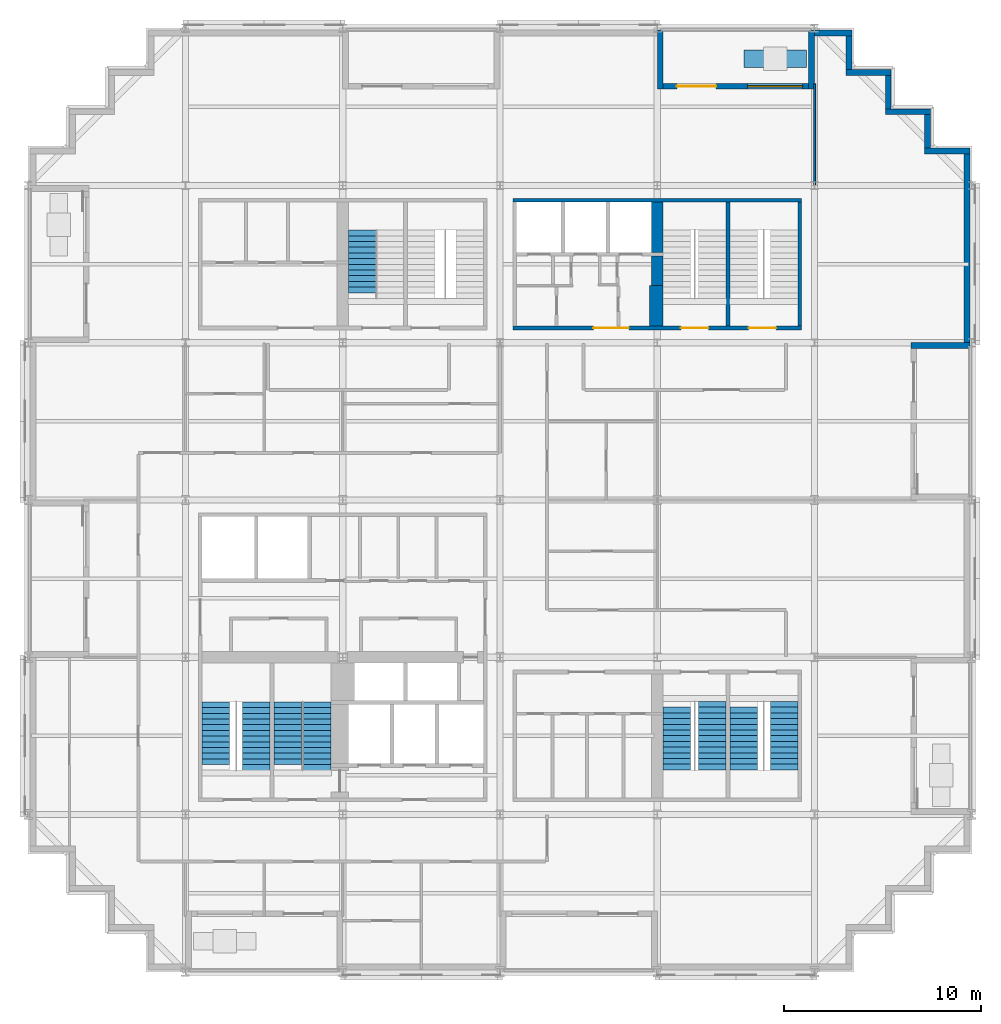
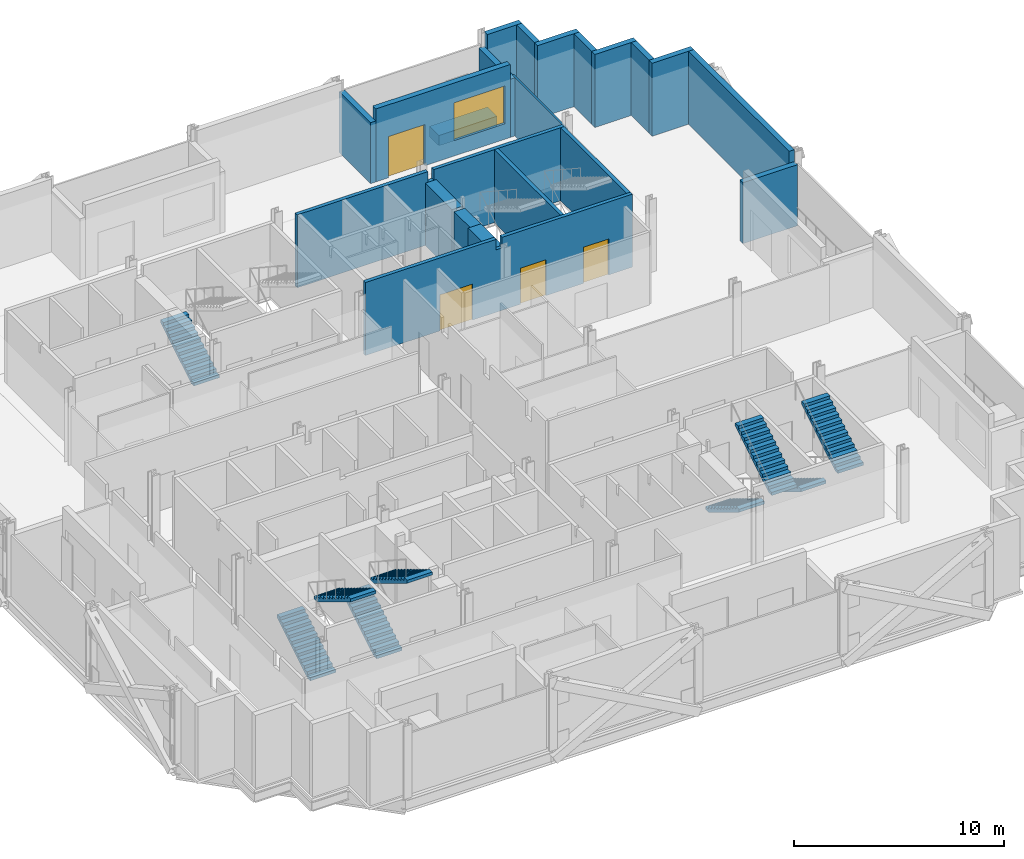
# One storey, part 10 of 14: 21 walls, 9 stair flights, 4 doors, 1 window, 5 openings, 5 elements without a shape of their own.
"""IFC4 building model written with IfcOpenShell, lengths in metres."""

from ifc_helpers import new_model, si_unit, direction, frame, frame_2d, origin, place, context, subcontext, project, spatial, polyline, rectangle, outline, extrude, material, layer, layer_set, type_object, element, fill, aggregate, save


model = new_model("IFC4")

# Units and contexts
model_context = context("Model", 3, precision=1e-05, world=origin(), true_north=direction((0.0, 1.0)))
body_context = subcontext(model_context, "Body", "Model", "MODEL_VIEW")
ifc_project = project(units=[si_unit("LENGTHUNIT", "METRE"), si_unit("AREAUNIT", "SQUARE_METRE"), si_unit("VOLUMEUNIT", "CUBIC_METRE"), si_unit("PLANEANGLEUNIT", "RADIAN"), si_unit("MASSUNIT", "GRAM", prefix="KILO")], contexts=[model_context])

# Site, building, storey
site_placement = place(None, origin())
site = spatial("IfcSite", under=ifc_project, at=site_placement, CompositionType="ELEMENT")
building_placement = place(site_placement, origin())
building = spatial("IfcBuilding", under=site, at=building_placement, Name="Immortelle Media Tower", CompositionType="ELEMENT")
storey_placement = place(building_placement, frame((0.0, 0.0, 43.60009765625)))
storey = spatial("IfcBuildingStorey", under=building, at=storey_placement, Name="L06", CompositionType="ELEMENT", Elevation=43.60009765625)

# Walls
ifc_material_1 = material(Name="Pale aluminium cladding panel", Category="aluminium")
ifc_layer_1 = layer(ifc_material_1, 0.030029296875)
ifc_material_2 = material(Name="Steel ASTM A653 SS Gr 50 stud frame with mineral wool", Category="steel")
ifc_layer_2 = layer(ifc_material_2, 0.257568359375)
ifc_material_3 = material(Name="Moisture-resistant gypsum board", Category="gypsum")
ifc_layer_3 = layer(ifc_material_3, 0.012451171875)
ifc_layer_set_1 = layer_set([ifc_layer_1, ifc_layer_2, ifc_layer_3], Name="Steel ASTM A653 SS Gr 50 stud frame with mineral wool")
wall_type_1 = type_object("IfcWallType", Name="Facade wall 300", PredefinedType="SOLIDWALL", material=ifc_layer_set_1)
wall_1_placement = place(storey_placement, frame((47.89990234375, 31.85009765625, 0.0), z_axis=(0.0, 0.0, 1.0), x_axis=(-1.0, 0.0, 0.0)))
element("IfcWall", 1, at=wall_1_placement, inside=storey, type_object=wall_type_1, Name="Loggia cheek wall L06 E", PredefinedType="SOLIDWALL", context=body_context, shape_type="SweptSolid", body=[
    extrude(rectangle(XDim=3.0, YDim=0.300048828125, at=frame_2d((1.5, 0.0))), origin(), (0.0, 0.0, 1.0), 3.552978515625),
])
wall_2_placement = place(storey_placement, frame((47.75, 32.0, 0.0), z_axis=(0.0, 0.0, 1.0), x_axis=(0.0, 1.0, 0.0)))
element("IfcWall", 2, at=wall_2_placement, inside=storey, type_object=wall_type_1, Name="Facade wall L06 E14", PredefinedType="SOLIDWALL", context=body_context, shape_type="SweptSolid", body=[
    extrude(rectangle(XDim=9.60009765625, YDim=0.300048828125, at=frame_2d((4.800048828125, 0.0))), origin(), (0.0, 0.0, 1.0), 4.25),
])
wall_3_placement = place(storey_placement, frame((47.89990234375, 41.75, 0.0), z_axis=(0.0, 0.0, 1.0), x_axis=(-1.0, 0.0, 0.0)))
element("IfcWall", 3, at=wall_3_placement, inside=storey, type_object=wall_type_1, Name="Facade wall L06 N15", PredefinedType="SOLIDWALL", context=body_context, shape_type="SweptSolid", body=[
    extrude(rectangle(XDim=2.2998046875, YDim=0.300048828125, at=frame_2d((1.14990234375, 0.0))), origin(), (0.0, 0.0, 1.0), 4.25),
])
wall_4_placement = place(storey_placement, frame((45.75, 41.89990234375, 0.0), z_axis=(0.0, 0.0, 1.0), x_axis=(0.0, 1.0, 0.0)))
element("IfcWall", 4, at=wall_4_placement, inside=storey, type_object=wall_type_1, Name="Facade wall L06 E16", PredefinedType="SOLIDWALL", context=body_context, shape_type="SweptSolid", body=[
    extrude(rectangle(XDim=1.7001953125, YDim=0.300048828125, at=frame_2d((0.85009765625, 0.0))), origin(), (0.0, 0.0, 1.0), 4.25),
])
wall_5_placement = place(storey_placement, frame((45.89990234375, 43.75, 0.0), z_axis=(0.0, 0.0, 1.0), x_axis=(-1.0, 0.0, 0.0)))
element("IfcWall", 5, at=wall_5_placement, inside=storey, type_object=wall_type_1, Name="Facade wall L06 N17", PredefinedType="SOLIDWALL", context=body_context, shape_type="SweptSolid", body=[
    extrude(rectangle(XDim=2.2998046875, YDim=0.300048828125, at=frame_2d((1.14990234375, 0.0))), origin(), (0.0, 0.0, 1.0), 4.25),
])
wall_6_placement = place(storey_placement, frame((43.75, 43.89990234375, 0.0), z_axis=(0.0, 0.0, 1.0), x_axis=(0.0, 1.0, 0.0)))
element("IfcWall", 6, at=wall_6_placement, inside=storey, type_object=wall_type_1, Name="Facade wall L06 E18", PredefinedType="SOLIDWALL", context=body_context, shape_type="SweptSolid", body=[
    extrude(rectangle(XDim=1.7001953125, YDim=0.300048828125, at=frame_2d((0.85009765625, 0.0))), origin(), (0.0, 0.0, 1.0), 4.25),
])
wall_7_placement = place(storey_placement, frame((43.89990234375, 45.75, 0.0), z_axis=(0.0, 0.0, 1.0), x_axis=(-1.0, 0.0, 0.0)))
element("IfcWall", 7, at=wall_7_placement, inside=storey, type_object=wall_type_1, Name="Facade wall L06 N19", PredefinedType="SOLIDWALL", context=body_context, shape_type="SweptSolid", body=[
    extrude(rectangle(XDim=2.2998046875, YDim=0.300048828125, at=frame_2d((1.14990234375, 0.0))), origin(), (0.0, 0.0, 1.0), 4.25),
])
wall_8_placement = place(storey_placement, frame((41.75, 45.89990234375, 0.0), z_axis=(0.0, 0.0, 1.0), x_axis=(0.0, 1.0, 0.0)))
element("IfcWall", 8, at=wall_8_placement, inside=storey, type_object=wall_type_1, Name="Facade wall L06 E20", PredefinedType="SOLIDWALL", context=body_context, shape_type="SweptSolid", body=[
    extrude(rectangle(XDim=1.7001953125, YDim=0.300048828125, at=frame_2d((0.85009765625, 0.0))), origin(), (0.0, 0.0, 1.0), 4.25),
])
wall_9_placement = place(storey_placement, frame((41.89990234375, 47.75, 0.0), z_axis=(0.0, 0.0, 1.0), x_axis=(-1.0, 0.0, 0.0)))
element("IfcWall", 9, at=wall_9_placement, inside=storey, type_object=wall_type_1, Name="Facade wall L06 N21", PredefinedType="SOLIDWALL", context=body_context, shape_type="SweptSolid", body=[
    extrude(rectangle(XDim=1.89990234375, YDim=0.300048828125, at=frame_2d((0.949951171875, 0.0))), origin(), (0.0, 0.0, 1.0), 4.25),
])

# Wall, openings, door, window
wall_10_placement = place(storey_placement, frame((39.699951171875, 45.050048828125, 0.0), z_axis=(0.0, 0.0, 1.0), x_axis=(-1.0, 0.0, 0.0)))
wall_10 = element("IfcWall", 10, at=wall_10_placement, inside=storey, type_object=wall_type_1, Name="Loggia wall L06 N21", PredefinedType="SOLIDWALL", context=body_context, shape_type="SweptSolid", body=[
    extrude(rectangle(XDim=7.39990234375, YDim=0.300048828125, at=frame_2d((3.699951171875, 0.0))), origin(), (0.0, 0.0, 1.0), 4.25),
])
opening_1_placement = place(wall_10_placement, frame((0.300048828125, 0.0, 0.89990234375)))
opening_1 = element("IfcOpeningElement", 11, at=opening_1_placement, cuts=wall_10, Name="Opening W1", PredefinedType="OPENING", context=body_context, shape_type="SweptSolid", body=[
    extrude(rectangle(XDim=2.800048828125, YDim=2.199951171875, at=frame_2d((1.39990234375, 1.10009765625))), frame((0.0, 0.159912109375, 0.0), z_axis=(0.0, -1.0, 0.0), x_axis=(1.0, 0.0, 0.0)), (0.0, 0.0, 1.0), 0.320068359375),
])
opening_2_placement = place(wall_10_placement, frame((4.699951171875, 0.0, 0.0)))
opening_2 = element("IfcOpeningElement", 12, at=opening_2_placement, cuts=wall_10, Name="Opening N1-E007", PredefinedType="OPENING", context=body_context, shape_type="SweptSolid", body=[
    extrude(rectangle(XDim=2.0, YDim=2.39990234375, at=frame_2d((1.0, 1.199951171875))), frame((0.0, 0.159912109375, 0.0), z_axis=(0.0, -1.0, 0.0), x_axis=(1.0, 0.0, 0.0)), (0.0, 0.0, 1.0), 0.320068359375),
])
ifc_material_4 = material(Name="Aluminium frame, glazed leaves", Category="aluminium")
door_type_1 = type_object("IfcDoorType", Name="Loggia door 2000 x 2400", OperationType="DOUBLE_DOOR_SINGLE_SWING", PredefinedType="DOOR", material=ifc_material_4)
door_1_placement = place(opening_2_placement, origin())
door_1 = element("IfcDoor", 13, at=door_1_placement, inside=storey, type_object=door_type_1, Name="Door N1-E007", OperationType="DOUBLE_DOOR_SINGLE_SWING", OverallHeight=2.39990234375, OverallWidth=2.0, PredefinedType="DOOR", context=body_context, shape_type="SweptSolid", body=[
    extrude(rectangle(XDim=2.0, YDim=2.39990234375, at=frame_2d((1.0, 1.199951171875))), frame((0.0, 0.02490234375, 0.0), z_axis=(0.0, -1.0, 0.0), x_axis=(1.0, 0.0, 0.0)), (0.0, 0.0, 1.0), 0.050048828125),
])
fill(opening_2, door_1)
ifc_material_5 = material(Name="Aluminium frame", Category="aluminium")
window_type = type_object("IfcWindowType", Name="Window 2800 x 2200", PartitioningType="SINGLE_PANEL", PredefinedType="WINDOW", material=ifc_material_5)
window_placement = place(opening_1_placement, origin())
window = element("IfcWindow", 14, at=window_placement, inside=storey, type_object=window_type, Name="Window L06 L06-R21-B0", OverallHeight=2.199951171875, OverallWidth=2.800048828125, PartitioningType="SINGLE_PANEL", PredefinedType="WINDOW", context=body_context, shape_type="SweptSolid", body=[
    extrude(rectangle(XDim=2.800048828125, YDim=2.199951171875, at=frame_2d((1.39990234375, 1.10009765625))), frame((0.0, 0.030029296875, 0.0), z_axis=(0.0, -1.0, 0.0), x_axis=(1.0, 0.0, 0.0)), (0.0, 0.0, 1.0), 0.06005859375),
])
fill(opening_1, window)

# Walls
wall_11_placement = place(storey_placement, frame((39.85009765625, 47.89990234375, 0.0), z_axis=(0.0, 0.0, 1.0), x_axis=(0.0, -1.0, 0.0)))
element("IfcWall", 15, at=wall_11_placement, inside=storey, type_object=wall_type_1, Name="Loggia cheek wall L06 N", PredefinedType="SOLIDWALL", context=body_context, shape_type="SweptSolid", body=[
    extrude(rectangle(XDim=3.0, YDim=0.300048828125, at=frame_2d((1.5, 0.0))), origin(), (0.0, 0.0, 1.0), 3.389892578125),
])
wall_12_placement = place(storey_placement, frame((32.14990234375, 47.89990234375, 0.0), z_axis=(0.0, 0.0, 1.0), x_axis=(0.0, -1.0, 0.0)))
element("IfcWall", 16, at=wall_12_placement, inside=storey, type_object=wall_type_1, Name="Loggia cheek wall L06 N", PredefinedType="SOLIDWALL", context=body_context, shape_type="SweptSolid", body=[
    extrude(rectangle(XDim=3.0, YDim=0.300048828125, at=frame_2d((1.5, 0.0))), origin(), (0.0, 0.0, 1.0), 3.552978515625),
])
ifc_material_6 = material(Name="Gypsum board", Category="gypsum")
ifc_layer_4 = layer(ifc_material_6, 0.012451171875)
ifc_layer_5 = layer(ifc_material_2, 0.074951171875)
ifc_layer_6 = layer(ifc_material_6, 0.012451171875)
ifc_layer_set_2 = layer_set([ifc_layer_4, ifc_layer_5, ifc_layer_6], Name="Steel ASTM A653 SS Gr 50 stud frame with mineral wool")
wall_type_2 = type_object("IfcWallType", Name="Partition 100", PredefinedType="PARTITIONING", material=ifc_layer_set_2)
wall_13_placement = place(storey_placement, frame((40.0, 40.030029296875, 0.0), z_axis=(0.0, 0.0, 1.0), x_axis=(0.0, 1.0, 0.0)))
element("IfcWall", 17, at=wall_13_placement, inside=storey, type_object=wall_type_2, Name="Partition L06-045", PredefinedType="PARTITIONING", context=body_context, shape_type="SweptSolid", body=[
    extrude(rectangle(XDim=5.139892578125, YDim=0.10009765625, at=frame_2d((2.56982421875, 0.0))), origin(), (0.0, 0.0, 1.0), 3.390869140625),
])
ifc_layer_7 = layer(ifc_material_1, 0.0029296875)
ifc_material_7 = material(Name="Steel ASTM A572 Gr 50 planter shell", Category="steel")
ifc_layer_8 = layer(ifc_material_7, 0.011962890625)
ifc_material_8 = material(Name="Planting substrate", Category="soil")
ifc_layer_9 = layer(ifc_material_8, 0.873046875)
ifc_layer_10 = layer(ifc_material_7, 0.011962890625)
ifc_layer_set_3 = layer_set([ifc_layer_7, ifc_layer_8, ifc_layer_9, ifc_layer_10], Name="Steel ASTM A572 Gr 50 planter shell")
wall_type_3 = type_object("IfcWallType", Name="Planter wall 900", PredefinedType="SOLIDWALL", material=ifc_layer_set_3)
wall_14_placement = place(storey_placement, frame((39.60009765625, 46.449951171875, 0.0), z_axis=(0.0, 0.0, 1.0), x_axis=(-1.0, 0.0, 0.0)))
element("IfcWall", 18, at=wall_14_placement, inside=storey, type_object=wall_type_3, Name="Planter L06 N0", PredefinedType="SOLIDWALL", context=body_context, shape_type="SweptSolid", body=[
    extrude(rectangle(XDim=3.2001953125, YDim=0.89990234375, at=frame_2d((1.60009765625, 0.0))), origin(), (0.0, 0.0, 1.0), 0.599853515625),
])

# Wall, openings, doors
ifc_material_9 = material(Name="Concrete C60", Category="concrete")
ifc_layer_11 = layer(ifc_material_9, 0.199951171875)
ifc_layer_set_4 = layer_set([ifc_layer_11], Name="Concrete C60")
wall_type_4 = type_object("IfcWallType", Name="Stair shaft wall 200", PredefinedType="PARTITIONING", material=ifc_layer_set_4)
wall_15_placement = place(storey_placement, frame((24.64990234375, 32.75, 0.0), z_axis=(0.0, 0.0, 1.0), x_axis=(1.0, 0.0, 0.0)))
wall_15 = element("IfcWall", 19, at=wall_15_placement, inside=storey, type_object=wall_type_4, Name="Stair shaft wall NE", PredefinedType="PARTITIONING", context=body_context, shape_type="SweptSolid", body=[
    extrude(outline(polyline([(0.0, 0.0), (14.7001953125, 0.0), (14.699951171875, 4.25), (7.51708984375, 4.25), (7.51611328125, 3.6318359375), (7.18408203125, 3.6318359375), (7.18310546875, 4.25), (0.0, 4.25), (0.0, 0.0)])), frame((0.0, 0.10009765625, 0.0), z_axis=(0.0, -1.0, 0.0), x_axis=(1.0, 0.0, 0.0)), (0.0, 0.0, 1.0), 0.199951171875),
])
opening_3_placement = place(wall_15_placement, frame((4.10009765625, 0.0, 0.0)))
opening_3 = element("IfcOpeningElement", 20, at=opening_3_placement, cuts=wall_15, Name="Opening N1-K030", PredefinedType="OPENING", context=body_context, shape_type="SweptSolid", body=[
    extrude(rectangle(XDim=1.800048828125, YDim=2.10009765625, at=frame_2d((0.89990234375, 1.050048828125))), frame((0.0, 0.10986328125, 0.0), z_axis=(0.0, -1.0, 0.0), x_axis=(1.0, 0.0, 0.0)), (0.0, 0.0, 1.0), 0.219970703125),
])
opening_4_placement = place(wall_15_placement, frame((8.550048828125, 0.0, 0.0)))
opening_4 = element("IfcOpeningElement", 21, at=opening_4_placement, cuts=wall_15, Name="Opening N1-K033", PredefinedType="OPENING", context=body_context, shape_type="SweptSolid", body=[
    extrude(rectangle(XDim=1.39990234375, YDim=2.10009765625, at=frame_2d((0.699951171875, 1.050048828125))), frame((0.0, 0.10986328125, 0.0), z_axis=(0.0, -1.0, 0.0), x_axis=(1.0, 0.0, 0.0)), (0.0, 0.0, 1.0), 0.219970703125),
])
opening_5_placement = place(wall_15_placement, frame((12.0, 0.0, 0.0)))
opening_5 = element("IfcOpeningElement", 22, at=opening_5_placement, cuts=wall_15, Name="Opening N1-K034", PredefinedType="OPENING", context=body_context, shape_type="SweptSolid", body=[
    extrude(rectangle(XDim=1.39990234375, YDim=2.10009765625, at=frame_2d((0.699951171875, 1.050048828125))), frame((0.0, 0.10986328125, 0.0), z_axis=(0.0, -1.0, 0.0), x_axis=(1.0, 0.0, 0.0)), (0.0, 0.0, 1.0), 0.219970703125),
])
ifc_material_10 = material(Name="Galvanised steel door leaf and frame ASTM A653", Category="steel")
door_type_2 = type_object("IfcDoorType", Name="Lift lobby door 1800 x 2100", OperationType="DOUBLE_DOOR_SINGLE_SWING", PredefinedType="NOTDEFINED", material=ifc_material_10)
door_2_placement = place(opening_3_placement, origin())
door_2 = element("IfcDoor", 23, at=door_2_placement, inside=storey, type_object=door_type_2, Name="Lift lobby N1-K030", OperationType="DOUBLE_DOOR_SINGLE_SWING", OverallHeight=2.10009765625, OverallWidth=1.800048828125, PredefinedType="NOTDEFINED", context=body_context, shape_type="SweptSolid", body=[
    extrude(rectangle(XDim=1.800048828125, YDim=2.10009765625, at=frame_2d((0.89990234375, 1.050048828125))), frame((0.0, 0.02490234375, 0.0), z_axis=(0.0, -1.0, 0.0), x_axis=(1.0, 0.0, 0.0)), (0.0, 0.0, 1.0), 0.050048828125),
])
fill(opening_3, door_2)
door_type_3 = type_object("IfcDoorType", Name="Stair door 1400 x 2100", OperationType="DOUBLE_DOOR_SINGLE_SWING", PredefinedType="NOTDEFINED", material=ifc_material_10)
door_3_placement = place(opening_4_placement, origin())
door_3 = element("IfcDoor", 24, at=door_3_placement, inside=storey, type_object=door_type_3, Name="Stair N1-K033", OperationType="DOUBLE_DOOR_SINGLE_SWING", OverallHeight=2.10009765625, OverallWidth=1.39990234375, PredefinedType="NOTDEFINED", context=body_context, shape_type="SweptSolid", body=[
    extrude(rectangle(XDim=1.39990234375, YDim=2.10009765625, at=frame_2d((0.699951171875, 1.050048828125))), frame((0.0, 0.02490234375, 0.0), z_axis=(0.0, -1.0, 0.0), x_axis=(1.0, 0.0, 0.0)), (0.0, 0.0, 1.0), 0.050048828125),
])
fill(opening_4, door_3)
door_4_placement = place(opening_5_placement, origin())
door_4 = element("IfcDoor", 25, at=door_4_placement, inside=storey, type_object=door_type_3, Name="Stair N1-K034", OperationType="DOUBLE_DOOR_SINGLE_SWING", OverallHeight=2.10009765625, OverallWidth=1.39990234375, PredefinedType="NOTDEFINED", context=body_context, shape_type="SweptSolid", body=[
    extrude(rectangle(XDim=1.39990234375, YDim=2.10009765625, at=frame_2d((0.699951171875, 1.050048828125))), frame((0.0, 0.02490234375, 0.0), z_axis=(0.0, -1.0, 0.0), x_axis=(1.0, 0.0, 0.0)), (0.0, 0.0, 1.0), 0.050048828125),
])
fill(opening_5, door_4)

# Walls
wall_16_placement = place(storey_placement, frame((24.64990234375, 39.25, 0.0), z_axis=(0.0, 0.0, 1.0), x_axis=(1.0, 0.0, 0.0)))
element("IfcWall", 26, at=wall_16_placement, inside=storey, type_object=wall_type_4, Name="Stair shaft wall NE", PredefinedType="PARTITIONING", context=body_context, shape_type="SweptSolid", body=[
    extrude(outline(polyline([(0.0, 0.0), (14.7001953125, 0.0), (14.699951171875, 4.25), (7.51708984375, 4.25), (7.51611328125, 3.6318359375), (7.18408203125, 3.6318359375), (7.18310546875, 4.25), (0.0, 4.25), (0.0, 0.0)])), frame((0.0, 0.10009765625, 0.0), z_axis=(0.0, -1.0, 0.0), x_axis=(1.0, 0.0, 0.0)), (0.0, 0.0, 1.0), 0.199951171875),
])
for number, where, z_axis, x_axis, name in (
    (27, (35.60009765625, 32.85009765625, 0.0), (0.0, 0.0, 1.0), (0.0, 1.0, 0.0), "Stair shaft wall NE"),
    (28, (39.25, 32.85009765625, 0.0), (0.0, 0.0, 1.0), (0.0, 1.0, 0.0), "Stair shaft wall NE"),
):
    element("IfcWall", number, at=place(storey_placement, frame(where, z_axis=z_axis, x_axis=x_axis)), inside=storey, type_object=wall_type_4, Name=name, PredefinedType="PARTITIONING", context=body_context, shape_type="SweptSolid", body=[
        extrude(rectangle(XDim=6.2998046875, YDim=0.199951171875, at=frame_2d((3.14990234375, 0.0))), origin(), (0.0, 0.0, 1.0), 4.25),
    ])
ifc_layer_12 = layer(ifc_material_9, 0.60009765625)
ifc_layer_set_5 = layer_set([ifc_layer_12], Name="Concrete C60")
wall_type_5 = type_object("IfcWallType", Name="Stair shaft wall 600", PredefinedType="PARTITIONING", material=ifc_layer_set_5)
wall_17_placement = place(storey_placement, frame((32.0, 34.89990234375, 0.0), z_axis=(0.0, 0.0, 1.0), x_axis=(0.0, 1.0, 0.0)))
element("IfcWall", 29, at=wall_17_placement, inside=storey, type_object=wall_type_5, Name="Stair shaft wall NE", PredefinedType="PARTITIONING", context=body_context, shape_type="SweptSolid", body=[
    extrude(rectangle(XDim=1.5, YDim=0.60009765625, at=frame_2d((0.75, 0.0))), origin(), (0.0, 0.0, 1.0), 3.6318359375),
])
wall_18_placement = place(storey_placement, frame((32.0, 36.60009765625, 0.0), z_axis=(0.0, 0.0, 1.0), x_axis=(0.0, 1.0, 0.0)))
element("IfcWall", 30, at=wall_18_placement, inside=storey, type_object=wall_type_5, Name="Stair shaft wall NE", PredefinedType="PARTITIONING", context=body_context, shape_type="SweptSolid", body=[
    extrude(rectangle(XDim=2.5498046875, YDim=0.60009765625, at=frame_2d((1.27490234375, 0.0))), origin(), (0.0, 0.0, 1.0), 3.6318359375),
])
ifc_layer_13 = layer(ifc_material_9, 0.699951171875)
ifc_layer_set_6 = layer_set([ifc_layer_13], Name="Concrete C60")
wall_type_6 = type_object("IfcWallType", Name="Stair shaft wall 700", PredefinedType="PARTITIONING", material=ifc_layer_set_6)
wall_19_placement = place(storey_placement, frame((31.949951171875, 32.85009765625, 0.0), z_axis=(0.0, 0.0, 1.0), x_axis=(0.0, 1.0, 0.0)))
element("IfcWall", 31, at=wall_19_placement, inside=storey, type_object=wall_type_6, Name="Stair shaft wall NE", PredefinedType="PARTITIONING", context=body_context, shape_type="SweptSolid", body=[
    extrude(rectangle(XDim=2.0498046875, YDim=0.699951171875, at=frame_2d((1.02490234375, 0.0))), origin(), (0.0, 0.0, 1.0), 3.6318359375),
])

# Stair, stair flights
ifc_material_11 = material(Name="Steel ASTM A992 Gr 50", Category="steel")
stair_type = type_object("IfcStairType", Name="Stair with flights", PredefinedType="DOUBLE_RETURN_STAIR", material=ifc_material_11)
stair_1_placement = place(storey_placement, origin())
stair_1 = element("IfcStair", 32, at=stair_1_placement, inside=storey, type_object=stair_type, Name="Exit stair SW1", PredefinedType="DOUBLE_RETURN_STAIR")
stair_flight_type = type_object("IfcStairFlightType", Name="Stair flight 1400", PredefinedType="STRAIGHT", material=ifc_material_11)
stair_flight_1_placement = place(storey_placement, frame((9.550048828125, 10.5400390625, 0.0), z_axis=(0.0, 0.0, 1.0), x_axis=(0.0, 1.0, 0.0)))
stair_flight_1 = element("IfcStairFlight", 33, at=stair_flight_1_placement, type_object=stair_flight_type, Name="ST SW1 flight 1", NumberOfRisers=12, NumberOfTreads=11, PredefinedType="STRAIGHT", RiserHeight=0.176, TreadLength=0.29, context=body_context, shape_type="SweptSolid", body=[
    extrude(outline(polyline([(0.0, 0.0), (0.0, 0.176025390625), (0.2900390625, 0.176025390625), (0.2900390625, 0.35205078125), (0.580078125, 0.35205078125), (0.580078125, 0.528076171875), (0.8701171875, 0.528076171875), (0.8701171875, 0.7041015625), (1.159912109375, 0.7041015625), (1.159912109375, 0.8798828125), (1.449951171875, 0.8798828125), (1.449951171875, 1.055908203125), (1.739990234375, 1.055908203125), (1.739990234375, 1.23193359375), (2.030029296875, 1.23193359375), (2.030029296875, 1.407958984375), (2.320068359375, 1.407958984375), (2.320068359375, 1.583984375), (2.610107421875, 1.583984375), (2.610107421875, 1.760009765625), (2.89990234375, 1.760009765625), (2.89990234375, 1.93603515625), (3.18994140625, 1.93603515625), (3.18994140625, 2.112060546875), (3.18994140625, 1.7607421875), (0.288818359375, 0.0), (0.0, 0.0)])), frame((0.0, 0.699951171875, 0.0), z_axis=(0.0, -1.0, 0.0), x_axis=(1.0, 0.0, 0.0)), (0.0, 0.0, 1.0), 1.39990234375),
])
stair_flight_2_placement = place(storey_placement, frame((11.60009765625, 13.72998046875, 2.11181640625), z_axis=(0.0, 0.0, 1.0), x_axis=(0.0, -1.0, 0.0)))
stair_flight_2 = element("IfcStairFlight", 34, at=stair_flight_2_placement, type_object=stair_flight_type, Name="ST SW1 flight 2", NumberOfRisers=13, NumberOfTreads=12, PredefinedType="STRAIGHT", RiserHeight=0.176, TreadLength=0.29, context=body_context, shape_type="SweptSolid", body=[
    extrude(outline(polyline([(0.0, 0.0), (0.0, 0.176025390625), (0.2900390625, 0.176025390625), (0.2900390625, 0.35205078125), (0.580078125, 0.35205078125), (0.580078125, 0.528076171875), (0.8701171875, 0.528076171875), (0.8701171875, 0.7041015625), (1.159912109375, 0.7041015625), (1.159912109375, 0.8798828125), (1.449951171875, 0.8798828125), (1.449951171875, 1.055908203125), (1.739990234375, 1.055908203125), (1.739990234375, 1.23193359375), (2.030029296875, 1.23193359375), (2.030029296875, 1.407958984375), (2.320068359375, 1.407958984375), (2.320068359375, 1.583984375), (2.610107421875, 1.583984375), (2.610107421875, 1.760009765625), (2.89990234375, 1.760009765625), (2.89990234375, 1.93603515625), (3.18994140625, 1.93603515625), (3.18994140625, 2.112060546875), (3.47998046875, 2.112060546875), (3.47998046875, 2.2880859375), (3.47998046875, 1.936767578125), (0.288818359375, 0.0), (0.0, 0.0)])), frame((0.0, 0.699951171875, 0.0), z_axis=(0.0, -1.0, 0.0), x_axis=(1.0, 0.0, 0.0)), (0.0, 0.0, 1.0), 1.39990234375),
])
aggregate(stair_1, [stair_flight_1, stair_flight_2])

stair_2_placement = place(storey_placement, origin())
stair_2 = element("IfcStair", 35, at=stair_2_placement, inside=storey, type_object=stair_type, Name="Exit stair SW2", PredefinedType="DOUBLE_RETURN_STAIR")
stair_flight_3_placement = place(storey_placement, frame((13.199951171875, 10.5400390625, 0.0), z_axis=(0.0, 0.0, 1.0), x_axis=(0.0, 1.0, 0.0)))
stair_flight_3 = element("IfcStairFlight", 36, at=stair_flight_3_placement, type_object=stair_flight_type, Name="ST SW2 flight 1", NumberOfRisers=12, NumberOfTreads=11, PredefinedType="STRAIGHT", RiserHeight=0.176, TreadLength=0.29, context=body_context, shape_type="SweptSolid", body=[
    extrude(outline(polyline([(0.0, 0.0), (0.0, 0.176025390625), (0.2900390625, 0.176025390625), (0.2900390625, 0.35205078125), (0.580078125, 0.35205078125), (0.580078125, 0.528076171875), (0.8701171875, 0.528076171875), (0.8701171875, 0.7041015625), (1.159912109375, 0.7041015625), (1.159912109375, 0.8798828125), (1.449951171875, 0.8798828125), (1.449951171875, 1.055908203125), (1.739990234375, 1.055908203125), (1.739990234375, 1.23193359375), (2.030029296875, 1.23193359375), (2.030029296875, 1.407958984375), (2.320068359375, 1.407958984375), (2.320068359375, 1.583984375), (2.610107421875, 1.583984375), (2.610107421875, 1.760009765625), (2.89990234375, 1.760009765625), (2.89990234375, 1.93603515625), (3.18994140625, 1.93603515625), (3.18994140625, 2.112060546875), (3.18994140625, 1.7607421875), (0.288818359375, 0.0), (0.0, 0.0)])), frame((0.0, 0.699951171875, 0.0), z_axis=(0.0, -1.0, 0.0), x_axis=(1.0, 0.0, 0.0)), (0.0, 0.0, 1.0), 1.39990234375),
])
stair_flight_4_placement = place(storey_placement, frame((14.699951171875, 13.72998046875, 2.11181640625), z_axis=(0.0, 0.0, 1.0), x_axis=(0.0, -1.0, 0.0)))
stair_flight_4 = element("IfcStairFlight", 37, at=stair_flight_4_placement, type_object=stair_flight_type, Name="ST SW2 flight 2", NumberOfRisers=13, NumberOfTreads=12, PredefinedType="STRAIGHT", RiserHeight=0.176, TreadLength=0.29, context=body_context, shape_type="SweptSolid", body=[
    extrude(outline(polyline([(0.0, 0.0), (0.0, 0.176025390625), (0.2900390625, 0.176025390625), (0.2900390625, 0.35205078125), (0.580078125, 0.35205078125), (0.580078125, 0.528076171875), (0.8701171875, 0.528076171875), (0.8701171875, 0.7041015625), (1.159912109375, 0.7041015625), (1.159912109375, 0.8798828125), (1.449951171875, 0.8798828125), (1.449951171875, 1.055908203125), (1.739990234375, 1.055908203125), (1.739990234375, 1.23193359375), (2.030029296875, 1.23193359375), (2.030029296875, 1.407958984375), (2.320068359375, 1.407958984375), (2.320068359375, 1.583984375), (2.610107421875, 1.583984375), (2.610107421875, 1.760009765625), (2.89990234375, 1.760009765625), (2.89990234375, 1.93603515625), (3.18994140625, 1.93603515625), (3.18994140625, 2.112060546875), (3.47998046875, 2.112060546875), (3.47998046875, 2.2880859375), (3.47998046875, 1.936767578125), (0.288818359375, 0.0), (0.0, 0.0)])), frame((0.0, 0.699951171875, 0.0), z_axis=(0.0, -1.0, 0.0), x_axis=(1.0, 0.0, 0.0)), (0.0, 0.0, 1.0), 1.39990234375),
])
aggregate(stair_2, [stair_flight_3, stair_flight_4])

stair_3_placement = place(storey_placement, origin())
stair_3 = element("IfcStair", 38, at=stair_3_placement, inside=storey, type_object=stair_type, Name="Exit stair SE1", PredefinedType="DOUBLE_RETURN_STAIR")
stair_flight_5_placement = place(storey_placement, frame((33.0, 13.4599609375, 0.0), z_axis=(0.0, 0.0, 1.0), x_axis=(0.0, -1.0, 0.0)))
stair_flight_5 = element("IfcStairFlight", 39, at=stair_flight_5_placement, type_object=stair_flight_type, Name="ST SE1 flight 1", NumberOfRisers=12, NumberOfTreads=11, PredefinedType="STRAIGHT", RiserHeight=0.176, TreadLength=0.29, context=body_context, shape_type="SweptSolid", body=[
    extrude(outline(polyline([(0.0, 0.0), (0.0, 0.176025390625), (0.2900390625, 0.176025390625), (0.2900390625, 0.35205078125), (0.580078125, 0.35205078125), (0.580078125, 0.528076171875), (0.8701171875, 0.528076171875), (0.8701171875, 0.7041015625), (1.159912109375, 0.7041015625), (1.159912109375, 0.8798828125), (1.449951171875, 0.8798828125), (1.449951171875, 1.055908203125), (1.739990234375, 1.055908203125), (1.739990234375, 1.23193359375), (2.030029296875, 1.23193359375), (2.030029296875, 1.407958984375), (2.320068359375, 1.407958984375), (2.320068359375, 1.583984375), (2.610107421875, 1.583984375), (2.610107421875, 1.760009765625), (2.89990234375, 1.760009765625), (2.89990234375, 1.93603515625), (3.18994140625, 1.93603515625), (3.18994140625, 2.112060546875), (3.18994140625, 1.7607421875), (0.288818359375, 0.0), (0.0, 0.0)])), frame((0.0, 0.699951171875, 0.0), z_axis=(0.0, -1.0, 0.0), x_axis=(1.0, 0.0, 0.0)), (0.0, 0.0, 1.0), 1.39990234375),
])
stair_flight_6_placement = place(storey_placement, frame((34.800048828125, 10.27001953125, 2.11181640625), z_axis=(0.0, 0.0, 1.0), x_axis=(0.0, 1.0, 0.0)))
stair_flight_6 = element("IfcStairFlight", 40, at=stair_flight_6_placement, type_object=stair_flight_type, Name="ST SE1 flight 2", NumberOfRisers=13, NumberOfTreads=12, PredefinedType="STRAIGHT", RiserHeight=0.176, TreadLength=0.29, context=body_context, shape_type="SweptSolid", body=[
    extrude(outline(polyline([(0.0, 0.0), (0.0, 0.176025390625), (0.2900390625, 0.176025390625), (0.2900390625, 0.35205078125), (0.580078125, 0.35205078125), (0.580078125, 0.528076171875), (0.8701171875, 0.528076171875), (0.8701171875, 0.7041015625), (1.159912109375, 0.7041015625), (1.159912109375, 0.8798828125), (1.449951171875, 0.8798828125), (1.449951171875, 1.055908203125), (1.739990234375, 1.055908203125), (1.739990234375, 1.23193359375), (2.030029296875, 1.23193359375), (2.030029296875, 1.407958984375), (2.320068359375, 1.407958984375), (2.320068359375, 1.583984375), (2.610107421875, 1.583984375), (2.610107421875, 1.760009765625), (2.89990234375, 1.760009765625), (2.89990234375, 1.93603515625), (3.18994140625, 1.93603515625), (3.18994140625, 2.112060546875), (3.47998046875, 2.112060546875), (3.47998046875, 2.2880859375), (3.47998046875, 1.936767578125), (0.288818359375, 0.0), (0.0, 0.0)])), frame((0.0, 0.699951171875, 0.0), z_axis=(0.0, -1.0, 0.0), x_axis=(1.0, 0.0, 0.0)), (0.0, 0.0, 1.0), 1.39990234375),
])
aggregate(stair_3, [stair_flight_5, stair_flight_6])

stair_4_placement = place(storey_placement, origin())
stair_4 = element("IfcStair", 41, at=stair_4_placement, inside=storey, type_object=stair_type, Name="Exit stair SE2", PredefinedType="DOUBLE_RETURN_STAIR")
stair_flight_7_placement = place(storey_placement, frame((36.39990234375, 13.4599609375, 0.0), z_axis=(0.0, 0.0, 1.0), x_axis=(0.0, -1.0, 0.0)))
stair_flight_7 = element("IfcStairFlight", 42, at=stair_flight_7_placement, type_object=stair_flight_type, Name="ST SE2 flight 1", NumberOfRisers=12, NumberOfTreads=11, PredefinedType="STRAIGHT", RiserHeight=0.176, TreadLength=0.29, context=body_context, shape_type="SweptSolid", body=[
    extrude(outline(polyline([(0.0, 0.0), (0.0, 0.176025390625), (0.2900390625, 0.176025390625), (0.2900390625, 0.35205078125), (0.580078125, 0.35205078125), (0.580078125, 0.528076171875), (0.8701171875, 0.528076171875), (0.8701171875, 0.7041015625), (1.159912109375, 0.7041015625), (1.159912109375, 0.8798828125), (1.449951171875, 0.8798828125), (1.449951171875, 1.055908203125), (1.739990234375, 1.055908203125), (1.739990234375, 1.23193359375), (2.030029296875, 1.23193359375), (2.030029296875, 1.407958984375), (2.320068359375, 1.407958984375), (2.320068359375, 1.583984375), (2.610107421875, 1.583984375), (2.610107421875, 1.760009765625), (2.89990234375, 1.760009765625), (2.89990234375, 1.93603515625), (3.18994140625, 1.93603515625), (3.18994140625, 2.112060546875), (3.18994140625, 1.7607421875), (0.288818359375, 0.0), (0.0, 0.0)])), frame((0.0, 0.699951171875, 0.0), z_axis=(0.0, -1.0, 0.0), x_axis=(1.0, 0.0, 0.0)), (0.0, 0.0, 1.0), 1.39990234375),
])
stair_flight_8_placement = place(storey_placement, frame((38.449951171875, 10.27001953125, 2.11181640625), z_axis=(0.0, 0.0, 1.0), x_axis=(0.0, 1.0, 0.0)))
stair_flight_8 = element("IfcStairFlight", 43, at=stair_flight_8_placement, type_object=stair_flight_type, Name="ST SE2 flight 2", NumberOfRisers=13, NumberOfTreads=12, PredefinedType="STRAIGHT", RiserHeight=0.176, TreadLength=0.29, context=body_context, shape_type="SweptSolid", body=[
    extrude(outline(polyline([(0.0, 0.0), (0.0, 0.176025390625), (0.2900390625, 0.176025390625), (0.2900390625, 0.35205078125), (0.580078125, 0.35205078125), (0.580078125, 0.528076171875), (0.8701171875, 0.528076171875), (0.8701171875, 0.7041015625), (1.159912109375, 0.7041015625), (1.159912109375, 0.8798828125), (1.449951171875, 0.8798828125), (1.449951171875, 1.055908203125), (1.739990234375, 1.055908203125), (1.739990234375, 1.23193359375), (2.030029296875, 1.23193359375), (2.030029296875, 1.407958984375), (2.320068359375, 1.407958984375), (2.320068359375, 1.583984375), (2.610107421875, 1.583984375), (2.610107421875, 1.760009765625), (2.89990234375, 1.760009765625), (2.89990234375, 1.93603515625), (3.18994140625, 1.93603515625), (3.18994140625, 2.112060546875), (3.47998046875, 2.112060546875), (3.47998046875, 2.2880859375), (3.47998046875, 1.936767578125), (0.288818359375, 0.0), (0.0, 0.0)])), frame((0.0, 0.699951171875, 0.0), z_axis=(0.0, -1.0, 0.0), x_axis=(1.0, 0.0, 0.0)), (0.0, 0.0, 1.0), 1.39990234375),
])
aggregate(stair_4, [stair_flight_7, stair_flight_8])

# Stair, stair flight
stair_5_placement = place(storey_placement, origin())
stair_5 = element("IfcStair", 44, at=stair_5_placement, inside=storey, type_object=stair_type, Name="Exit stair NW1", PredefinedType="DOUBLE_RETURN_STAIR")
stair_flight_9_placement = place(storey_placement, frame((17.0, 34.5400390625, 0.0), z_axis=(0.0, 0.0, 1.0), x_axis=(0.0, 1.0, 0.0)))
stair_flight_9 = element("IfcStairFlight", 45, at=stair_flight_9_placement, type_object=stair_flight_type, Name="ST NW1 flight 1", NumberOfRisers=12, NumberOfTreads=11, PredefinedType="STRAIGHT", RiserHeight=0.176, TreadLength=0.29, context=body_context, shape_type="SweptSolid", body=[
    extrude(outline(polyline([(0.0, 0.0), (0.0, 0.176025390625), (0.2900390625, 0.176025390625), (0.2900390625, 0.35205078125), (0.580078125, 0.35205078125), (0.580078125, 0.528076171875), (0.8701171875, 0.528076171875), (0.8701171875, 0.7041015625), (1.159912109375, 0.7041015625), (1.159912109375, 0.8798828125), (1.449951171875, 0.8798828125), (1.449951171875, 1.055908203125), (1.739990234375, 1.055908203125), (1.739990234375, 1.23193359375), (2.030029296875, 1.23193359375), (2.030029296875, 1.407958984375), (2.320068359375, 1.407958984375), (2.320068359375, 1.583984375), (2.610107421875, 1.583984375), (2.610107421875, 1.760009765625), (2.89990234375, 1.760009765625), (2.89990234375, 1.93603515625), (3.18994140625, 1.93603515625), (3.18994140625, 2.112060546875), (3.18994140625, 1.7607421875), (0.288818359375, 0.0), (0.0, 0.0)])), frame((0.0, 0.699951171875, 0.0), z_axis=(0.0, -1.0, 0.0), x_axis=(1.0, 0.0, 0.0)), (0.0, 0.0, 1.0), 1.39990234375),
])
aggregate(stair_5, [stair_flight_9])

save(model, "model.ifc")
